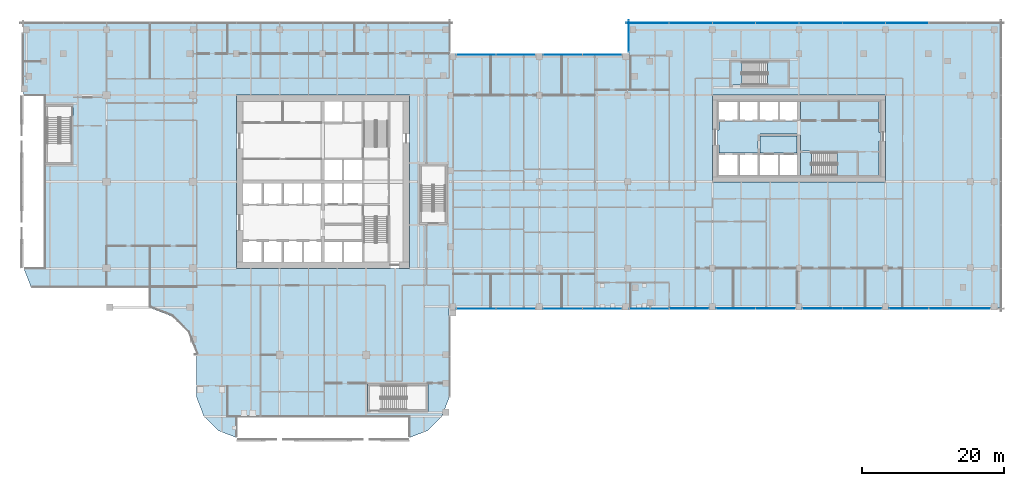
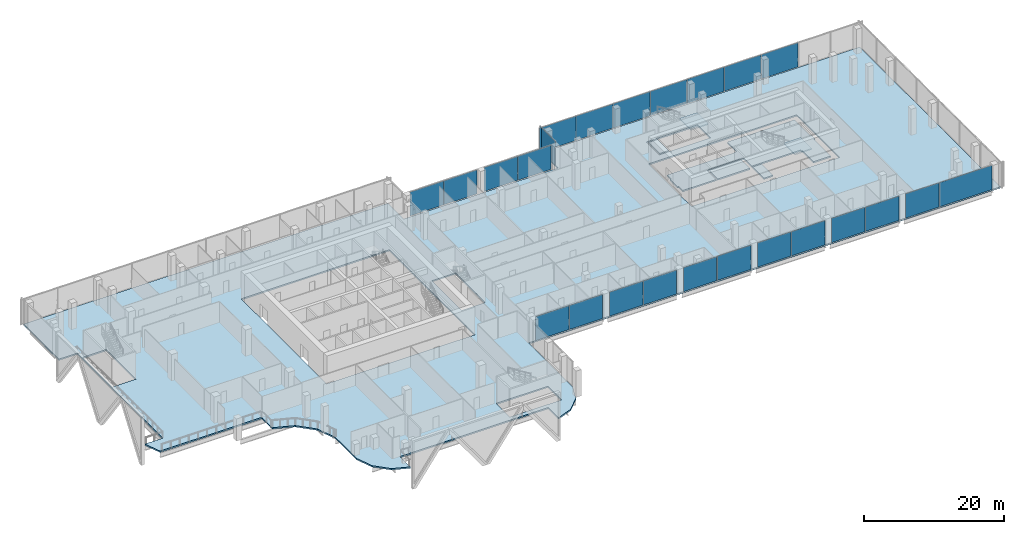
# One storey, part 19 of 33: 24 plates, 7 slabs, 14 elements without a shape of their own.
"""IFC4 building model written with IfcOpenShell, lengths in metres."""

from ifc_helpers import new_model, si_unit, direction, frame, origin, origin_2d, place, context, subcontext, project, spatial, polyline, rectangle, outline, extrude, material, layer, layer_set, type_object, element, aggregate, save


model = new_model("IFC4")

# Units and contexts
model_context = context("Model", 3, precision=1e-05, world=origin(), true_north=direction((0.0, 1.0)))
body_context = subcontext(model_context, "Body", "Model", "MODEL_VIEW")
ifc_project = project(units=[si_unit("LENGTHUNIT", "METRE"), si_unit("AREAUNIT", "SQUARE_METRE"), si_unit("VOLUMEUNIT", "CUBIC_METRE"), si_unit("PLANEANGLEUNIT", "RADIAN"), si_unit("MASSUNIT", "GRAM", prefix="KILO")], contexts=[model_context])

# Site, building, storey
site_placement = place(None, origin())
site = spatial("IfcSite", under=ifc_project, at=site_placement, CompositionType="ELEMENT")
building_placement = place(site_placement, origin())
building = spatial("IfcBuilding", under=site, at=building_placement, Name="Tessera Gate Towers", CompositionType="ELEMENT")
storey_placement = place(building_placement, frame((0.0, 0.0, 12.0)))
storey = spatial("IfcBuildingStorey", under=building, at=storey_placement, Name="L02", CompositionType="ELEMENT", Elevation=12.0)

# Slabs
ifc_material_1 = material(Name="Concrete C35/45", Category="concrete")
ifc_layer_1 = layer(ifc_material_1, 0.25)
ifc_layer_set_1 = layer_set([ifc_layer_1], Name="COMPOSITE FLOOR 250")
slab_type_1 = type_object("IfcSlabType", Name="COMPOSITE FLOOR 250", PredefinedType="FLOOR", material=ifc_layer_set_1)
slab_1_placement = place(storey_placement, frame((0.0, 0.0, -0.25)))
element("IfcSlab", 1, at=slab_1_placement, inside=storey, type_object=slab_type_1, Name="PD-L02", PredefinedType="FLOOR", context=body_context, shape_type="SweptSolid", body=[
    extrude(outline(polyline([(0.5, 48.800048828125), (3.5, 48.800048828125), (3.5, 24.39990234375), (0.535888671875, 24.39990234375), (1.526123046875, 21.8330078125), (1.55908203125, 21.800048828125), (18.300048828125, 21.800048828125), (18.300048828125, 18.800048828125), (18.39306640625, 18.800048828125), (21.42431640625, 17.630615234375), (23.730712890625, 15.32421875), (24.89990234375, 12.293212890625), (24.89990234375, 6.193115234375), (25.926025390625, 3.533203125), (27.93310546875, 1.526123046875), (30.5, 0.535888671875), (30.5, 3.5), (54.89990234375, 3.5), (54.89990234375, 0.535888671875), (57.466796875, 1.526123046875), (59.473876953125, 3.533203125), (60.5, 6.193115234375), (60.5, 18.800048828125), (138.199951171875, 18.800048828125), (138.199951171875, 58.89990234375), (85.89990234375, 58.89990234375), (85.89990234375, 54.39990234375), (60.5, 54.39990234375), (60.5, 58.89990234375), (0.5, 58.89990234375), (0.5, 48.800048828125)]), holes=[polyline([(3.60009765625, 39.0), (3.60009765625, 47.5), (7.5, 47.5), (7.5, 39.0), (3.60009765625, 39.0)]), polyline([(30.5, 24.39990234375), (30.5, 48.800048828125), (54.89990234375, 48.800048828125), (54.89990234375, 24.39990234375), (30.5, 24.39990234375)]), polyline([(49.0, 4.199951171875), (49.0, 8.10009765625), (57.5, 8.10009765625), (57.5, 4.199951171875), (49.0, 4.199951171875)]), polyline([(56.300048828125, 30.60009765625), (56.300048828125, 39.10009765625), (60.199951171875, 39.10009765625), (60.199951171875, 30.60009765625), (56.300048828125, 30.60009765625)]), polyline([(97.60009765625, 36.60009765625), (97.60009765625, 48.800048828125), (122.0, 48.800048828125), (122.0, 36.60009765625), (97.60009765625, 36.60009765625)]), polyline([(100.0, 50.0), (100.0, 53.699951171875), (108.5, 53.699951171875), (108.5, 50.0), (100.0, 50.0)])]), origin(), (0.0, 0.0, 1.0), 0.25),
])
ifc_material_2 = material(Name="Concrete C35/45", Category="concrete")
ifc_layer_2 = layer(ifc_material_2, 0.25)
ifc_layer_set_2 = layer_set([ifc_layer_2], Name="CORE FLOOR SLAB 250")
slab_type_2 = type_object("IfcSlabType", Name="CORE FLOOR SLAB 250", PredefinedType="FLOOR", material=ifc_layer_set_2)
slab_2_placement = place(storey_placement, frame((0.0, 0.0, -0.25)))
element("IfcSlab", 2, at=slab_2_placement, inside=storey, type_object=slab_type_2, Name="L02 core floor slab", PredefinedType="FLOOR", context=body_context, shape_type="SweptSolid", body=[
    extrude(outline(polyline([(109.550048828125, 45.199951171875), (109.550048828125, 45.074951171875), (98.5, 45.074951171875), (98.5, 43.89990234375), (98.300048828125, 43.89990234375), (98.300048828125, 41.800048828125), (98.5, 41.800048828125), (98.5, 40.625), (104.02490234375, 40.625), (104.02490234375, 43.199951171875), (104.27490234375, 43.199951171875), (104.27490234375, 43.324951171875), (109.550048828125, 43.324951171875), (109.550048828125, 43.199951171875), (110.050048828125, 43.199951171875), (110.050048828125, 40.949951171875), (118.10009765625, 40.949951171875), (118.10009765625, 40.699951171875), (118.22509765625, 40.699951171875), (118.22509765625, 37.5), (121.10009765625, 37.5), (121.10009765625, 42.35009765625), (121.300048828125, 42.35009765625), (121.300048828125, 43.550048828125), (121.10009765625, 43.550048828125), (121.10009765625, 47.89990234375), (110.050048828125, 47.89990234375), (110.050048828125, 45.199951171875), (109.550048828125, 45.199951171875)])), origin(), (0.0, 0.0, 1.0), 0.25),
])
slab_3_placement = place(storey_placement, frame((0.0, 0.0, -0.25)))
element("IfcSlab", 3, at=slab_3_placement, inside=storey, type_object=slab_type_2, Name="L02 core floor slab", PredefinedType="FLOOR", context=body_context, shape_type="SweptSolid", body=[
    extrude(outline(polyline([(109.550048828125, 43.074951171875), (104.27490234375, 43.074951171875), (104.27490234375, 40.625), (109.550048828125, 40.625), (109.550048828125, 43.074951171875)])), origin(), (0.0, 0.0, 1.0), 0.25),
])
slab_4_placement = place(storey_placement, frame((0.0, 0.0, -0.25)))
element("IfcSlab", 4, at=slab_4_placement, inside=storey, type_object=slab_type_2, Name="L02 core floor slab", PredefinedType="FLOOR", context=body_context, shape_type="SweptSolid", body=[
    extrude(outline(polyline([(111.550048828125, 37.5), (111.550048828125, 40.699951171875), (110.050048828125, 40.699951171875), (110.050048828125, 37.5), (111.550048828125, 37.5)])), origin(), (0.0, 0.0, 1.0), 0.25),
])
slab_5_placement = place(storey_placement, frame((0.0, 0.0, -0.25)))
element("IfcSlab", 5, at=slab_5_placement, inside=storey, type_object=slab_type_2, Name="L02 ST7 floor landing", PredefinedType="FLOOR", context=body_context, shape_type="SweptSolid", body=[
    extrude(outline(polyline([(100.25, 50.25), (101.75, 50.25), (101.75, 53.449951171875), (100.25, 53.449951171875), (100.25, 50.25)])), origin(), (0.0, 0.0, 1.0), 0.25),
])

# Stair, slab
ifc_material_3 = material(Name="Concrete C40/50", Category="concrete")
stair_type_1 = type_object("IfcStairType", Name="EXIT STAIR ST6A 1500", PredefinedType="HALF_TURN_STAIR", material=ifc_material_3)
stair_1_placement = place(storey_placement, origin())
stair_1 = element("IfcStair", 6, at=stair_1_placement, inside=storey, type_object=stair_type_1, Name="L02 Protected Exit Stair ST6", PredefinedType="HALF_TURN_STAIR")
ifc_material_4 = material(Name="Concrete C40/50", Category="concrete")
ifc_layer_3 = layer(ifc_material_4, 0.199951171875)
ifc_layer_set_3 = layer_set([ifc_layer_3], Name="EXIT STAIR LANDING 200")
slab_type_3 = type_object("IfcSlabType", Name="EXIT STAIR LANDING 200", PredefinedType="LANDING", material=ifc_layer_set_3)
slab_6_placement = place(storey_placement, frame((0.0, 0.0, 2.199951171875)))
slab_6 = element("IfcSlab", 7, at=slab_6_placement, type_object=slab_type_3, Name="ST6 landing 1", PredefinedType="LANDING", context=body_context, shape_type="SweptSolid", body=[
    extrude(outline(polyline([(115.18994140625, 37.5), (117.97509765625, 37.5), (117.97509765625, 40.699951171875), (115.18994140625, 40.699951171875), (115.18994140625, 37.5)])), origin(), (0.0, 0.0, 1.0), 0.199951171875),
])
aggregate(stair_1, [slab_6])

ifc_material_5 = material(Name="Concrete C40/50", Category="concrete")
stair_type_2 = type_object("IfcStairType", Name="EXIT STAIR ST7A 1500", PredefinedType="HALF_TURN_STAIR", material=ifc_material_5)
stair_2_placement = place(storey_placement, origin())
stair_2 = element("IfcStair", 8, at=stair_2_placement, inside=storey, type_object=stair_type_2, Name="L02 North Exit Stair ST7", PredefinedType="HALF_TURN_STAIR")
slab_7_placement = place(storey_placement, frame((0.0, 0.0, 2.199951171875)))
slab_7 = element("IfcSlab", 9, at=slab_7_placement, type_object=slab_type_3, Name="ST7 landing 1", PredefinedType="LANDING", context=body_context, shape_type="SweptSolid", body=[
    extrude(outline(polyline([(105.389892578125, 50.25), (108.25, 50.25), (108.25, 53.449951171875), (105.389892578125, 53.449951171875), (105.389892578125, 50.25)])), origin(), (0.0, 0.0, 1.0), 0.199951171875),
])
aggregate(stair_2, [slab_7])

# Curtain wall, plate
ifc_material_6 = material(Name="Aluminium frame", Category="aluminium")
curtain_wall_type_1 = type_object("IfcCurtainWallType", Name="CW-S1 podium storefront", PredefinedType="NOTDEFINED", material=ifc_material_6)
curtain_wall_1_placement = place(storey_placement, origin())
curtain_wall_1 = element("IfcCurtainWall", 10, at=curtain_wall_1_placement, inside=storey, type_object=curtain_wall_type_1, Name="Curtain wall podium storefront 0165", PredefinedType="NOTDEFINED")
ifc_material_7 = material(Name="Low-e laminated glass", Category="glass")
ifc_layer_4 = layer(ifc_material_7, 0.028076171875)
ifc_layer_set_4 = layer_set([ifc_layer_4], Name="PN-S1 glass panel 28")
plate_type_1 = type_object("IfcPlateType", Name="PN-S1 glass panel 28", PredefinedType="CURTAIN_PANEL", material=ifc_layer_set_4)
plate_1_placement = place(storey_placement, frame((94.31005859375, 18.72509765625, 0.06005859375), z_axis=(0.0, 0.0, 1.0), x_axis=(1.0, 0.0, 0.0)))
plate_1 = element("IfcPlate", 11, at=plate_1_placement, type_object=plate_type_1, Name="PD-CW1-0165 panel 1.1", PredefinedType="CURTAIN_PANEL", context=body_context, shape_type="SweptSolid", body=[
    extrude(rectangle(XDim=5.5, YDim=0.028076171875, at=origin_2d()), origin(), (0.0, 0.0, 1.0), 4.22998046875),
])
aggregate(curtain_wall_1, [plate_1])

# Curtain wall, plates
curtain_wall_2_placement = place(storey_placement, origin())
curtain_wall_2 = element("IfcCurtainWall", 12, at=curtain_wall_2_placement, inside=storey, type_object=curtain_wall_type_1, Name="Curtain wall podium storefront 0166", PredefinedType="NOTDEFINED")
plate_2_placement = place(storey_placement, frame((100.905029296875, 18.72509765625, 0.06005859375), z_axis=(0.0, 0.0, 1.0), x_axis=(1.0, 0.0, 0.0)))
plate_2 = element("IfcPlate", 13, at=plate_2_placement, type_object=plate_type_1, Name="PD-CW1-0166 panel 1.1", PredefinedType="CURTAIN_PANEL", context=body_context, shape_type="SweptSolid", body=[
    extrude(rectangle(XDim=5.530029296875, YDim=0.028076171875, at=origin_2d()), origin(), (0.0, 0.0, 1.0), 4.22998046875),
])
plate_3_placement = place(storey_placement, frame((106.4951171875, 18.72509765625, 0.06005859375), z_axis=(0.0, 0.0, 1.0), x_axis=(1.0, 0.0, 0.0)))
plate_3 = element("IfcPlate", 14, at=plate_3_placement, type_object=plate_type_1, Name="PD-CW1-0166 panel 2.1", PredefinedType="CURTAIN_PANEL", context=body_context, shape_type="SweptSolid", body=[
    extrude(rectangle(XDim=5.530029296875, YDim=0.028076171875, at=origin_2d()), origin(), (0.0, 0.0, 1.0), 4.22998046875),
])
aggregate(curtain_wall_2, [plate_2, plate_3])

curtain_wall_3_placement = place(storey_placement, origin())
curtain_wall_3 = element("IfcCurtainWall", 15, at=curtain_wall_3_placement, inside=storey, type_object=curtain_wall_type_1, Name="Curtain wall podium storefront 0167", PredefinedType="NOTDEFINED")
plate_4_placement = place(storey_placement, frame((113.10498046875, 18.72509765625, 0.06005859375), z_axis=(0.0, 0.0, 1.0), x_axis=(1.0, 0.0, 0.0)))
plate_4 = element("IfcPlate", 16, at=plate_4_placement, type_object=plate_type_1, Name="PD-CW1-0167 panel 1.1", PredefinedType="CURTAIN_PANEL", context=body_context, shape_type="SweptSolid", body=[
    extrude(rectangle(XDim=5.530029296875, YDim=0.028076171875, at=origin_2d()), origin(), (0.0, 0.0, 1.0), 4.22998046875),
])
plate_5_placement = place(storey_placement, frame((118.695068359375, 18.72509765625, 0.06005859375), z_axis=(0.0, 0.0, 1.0), x_axis=(1.0, 0.0, 0.0)))
plate_5 = element("IfcPlate", 17, at=plate_5_placement, type_object=plate_type_1, Name="PD-CW1-0167 panel 2.1", PredefinedType="CURTAIN_PANEL", context=body_context, shape_type="SweptSolid", body=[
    extrude(rectangle(XDim=5.530029296875, YDim=0.028076171875, at=origin_2d()), origin(), (0.0, 0.0, 1.0), 4.22998046875),
])
aggregate(curtain_wall_3, [plate_4, plate_5])

# Curtain wall, plate
curtain_wall_4_placement = place(storey_placement, origin())
curtain_wall_4 = element("IfcCurtainWall", 18, at=curtain_wall_4_placement, inside=storey, type_object=curtain_wall_type_1, Name="Curtain wall podium storefront 0168", PredefinedType="NOTDEFINED")
plate_6_placement = place(storey_placement, frame((125.2900390625, 18.72509765625, 0.06005859375), z_axis=(0.0, 0.0, 1.0), x_axis=(1.0, 0.0, 0.0)))
plate_6 = element("IfcPlate", 19, at=plate_6_placement, type_object=plate_type_1, Name="PD-CW1-0168 panel 1.1", PredefinedType="CURTAIN_PANEL", context=body_context, shape_type="SweptSolid", body=[
    extrude(rectangle(XDim=5.5, YDim=0.028076171875, at=origin_2d()), origin(), (0.0, 0.0, 1.0), 4.22998046875),
])
aggregate(curtain_wall_4, [plate_6])

curtain_wall_5_placement = place(storey_placement, origin())
curtain_wall_5 = element("IfcCurtainWall", 20, at=curtain_wall_5_placement, inside=storey, type_object=curtain_wall_type_1, Name="Curtain wall podium storefront 0173", PredefinedType="NOTDEFINED")
plate_7_placement = place(storey_placement, frame((132.4599609375, 18.72509765625, 0.06005859375), z_axis=(0.0, 0.0, 1.0), x_axis=(1.0, 0.0, 0.0)))
plate_7 = element("IfcPlate", 21, at=plate_7_placement, type_object=plate_type_1, Name="PD-CW1-0173 panel 1.1", PredefinedType="CURTAIN_PANEL", context=body_context, shape_type="SweptSolid", body=[
    extrude(rectangle(XDim=8.60009765625, YDim=0.028076171875, at=origin_2d()), origin(), (0.0, 0.0, 1.0), 4.22998046875),
])
aggregate(curtain_wall_5, [plate_7])

# Curtain wall, plates
curtain_wall_6_placement = place(storey_placement, origin())
curtain_wall_6 = element("IfcCurtainWall", 22, at=curtain_wall_6_placement, inside=storey, type_object=curtain_wall_type_1, Name="Curtain wall podium storefront 0193", PredefinedType="NOTDEFINED")
plate_8_placement = place(storey_placement, frame((125.034912109375, 58.97509765625, 0.06005859375), z_axis=(0.0, 0.0, 1.0), x_axis=(-1.0, 0.0, 0.0)))
plate_8 = element("IfcPlate", 23, at=plate_8_placement, type_object=plate_type_1, Name="PD-CW1-0193 panel 1.1", PredefinedType="CURTAIN_PANEL", context=body_context, shape_type="SweptSolid", body=[
    extrude(rectangle(XDim=6.010009765625, YDim=0.028076171875, at=origin_2d()), origin(), (0.0, 0.0, 1.0), 4.22998046875),
])
plate_9_placement = place(storey_placement, frame((118.949951171875, 58.97509765625, 0.06005859375), z_axis=(0.0, 0.0, 1.0), x_axis=(-1.0, 0.0, 0.0)))
plate_9 = element("IfcPlate", 24, at=plate_9_placement, type_object=plate_type_1, Name="PD-CW1-0193 panel 2.1", PredefinedType="CURTAIN_PANEL", context=body_context, shape_type="SweptSolid", body=[
    extrude(rectangle(XDim=6.0400390625, YDim=0.028076171875, at=origin_2d()), origin(), (0.0, 0.0, 1.0), 4.22998046875),
])
plate_10_placement = place(storey_placement, frame((112.85009765625, 58.97509765625, 0.06005859375), z_axis=(0.0, 0.0, 1.0), x_axis=(-1.0, 0.0, 0.0)))
plate_10 = element("IfcPlate", 25, at=plate_10_placement, type_object=plate_type_1, Name="PD-CW1-0193 panel 3.1", PredefinedType="CURTAIN_PANEL", context=body_context, shape_type="SweptSolid", body=[
    extrude(rectangle(XDim=6.0400390625, YDim=0.028076171875, at=origin_2d()), origin(), (0.0, 0.0, 1.0), 4.22998046875),
])
plate_11_placement = place(storey_placement, frame((106.75, 58.97509765625, 0.06005859375), z_axis=(0.0, 0.0, 1.0), x_axis=(-1.0, 0.0, 0.0)))
plate_11 = element("IfcPlate", 26, at=plate_11_placement, type_object=plate_type_1, Name="PD-CW1-0193 panel 4.1", PredefinedType="CURTAIN_PANEL", context=body_context, shape_type="SweptSolid", body=[
    extrude(rectangle(XDim=6.0400390625, YDim=0.028076171875, at=origin_2d()), origin(), (0.0, 0.0, 1.0), 4.22998046875),
])
plate_12_placement = place(storey_placement, frame((100.64990234375, 58.97509765625, 0.06005859375), z_axis=(0.0, 0.0, 1.0), x_axis=(-1.0, 0.0, 0.0)))
plate_12 = element("IfcPlate", 27, at=plate_12_placement, type_object=plate_type_1, Name="PD-CW1-0193 panel 5.1", PredefinedType="CURTAIN_PANEL", context=body_context, shape_type="SweptSolid", body=[
    extrude(rectangle(XDim=6.0400390625, YDim=0.028076171875, at=origin_2d()), origin(), (0.0, 0.0, 1.0), 4.22998046875),
])
plate_13_placement = place(storey_placement, frame((94.550048828125, 58.97509765625, 0.06005859375), z_axis=(0.0, 0.0, 1.0), x_axis=(-1.0, 0.0, 0.0)))
plate_13 = element("IfcPlate", 28, at=plate_13_placement, type_object=plate_type_1, Name="PD-CW1-0193 panel 6.1", PredefinedType="CURTAIN_PANEL", context=body_context, shape_type="SweptSolid", body=[
    extrude(rectangle(XDim=6.0400390625, YDim=0.028076171875, at=origin_2d()), origin(), (0.0, 0.0, 1.0), 4.22998046875),
])
plate_14_placement = place(storey_placement, frame((88.465087890625, 58.97509765625, 0.06005859375), z_axis=(0.0, 0.0, 1.0), x_axis=(-1.0, 0.0, 0.0)))
plate_14 = element("IfcPlate", 29, at=plate_14_placement, type_object=plate_type_1, Name="PD-CW1-0193 panel 7.1", PredefinedType="CURTAIN_PANEL", context=body_context, shape_type="SweptSolid", body=[
    extrude(rectangle(XDim=6.010009765625, YDim=0.028076171875, at=origin_2d()), origin(), (0.0, 0.0, 1.0), 4.22998046875),
])
aggregate(curtain_wall_6, [plate_8, plate_9, plate_10, plate_11, plate_12, plate_13, plate_14])

# Curtain wall, plate
curtain_wall_7_placement = place(storey_placement, origin())
curtain_wall_7 = element("IfcCurtainWall", 30, at=curtain_wall_7_placement, inside=storey, type_object=curtain_wall_type_1, Name="Curtain wall podium storefront 0196", PredefinedType="NOTDEFINED")
plate_15_placement = place(storey_placement, frame((85.824951171875, 57.14990234375, 0.06005859375), z_axis=(0.0, 0.0, 1.0), x_axis=(0.0, -1.0, 0.0)))
plate_15 = element("IfcPlate", 31, at=plate_15_placement, type_object=plate_type_1, Name="PD-CW1-0196 panel 1.1", PredefinedType="CURTAIN_PANEL", context=body_context, shape_type="SweptSolid", body=[
    extrude(rectangle(XDim=4.3798828125, YDim=0.028076171875, at=origin_2d()), origin(), (0.0, 0.0, 1.0), 4.22998046875),
])
aggregate(curtain_wall_7, [plate_15])

# Curtain wall, plates
ifc_material_8 = material(Name="Aluminium frame", Category="aluminium")
curtain_wall_type_2 = type_object("IfcCurtainWallType", Name="CW-S2 galleria glazing", PredefinedType="NOTDEFINED", material=ifc_material_8)
curtain_wall_8_placement = place(storey_placement, origin())
curtain_wall_8 = element("IfcCurtainWall", 32, at=curtain_wall_8_placement, inside=storey, type_object=curtain_wall_type_2, Name="Curtain wall galleria glazing 0153", PredefinedType="NOTDEFINED")
ifc_material_9 = material(Name="Low-e laminated glass", Category="glass")
ifc_layer_5 = layer(ifc_material_9, 0.031982421875)
ifc_layer_set_5 = layer_set([ifc_layer_5], Name="PN-S2 glass panel 32")
plate_type_2 = type_object("IfcPlateType", Name="PN-S2 glass panel 32", PredefinedType="CURTAIN_PANEL", material=ifc_layer_set_5)
plate_16_placement = place(storey_placement, frame((64.31494140625, 18.699951171875, 0.080078125), z_axis=(0.0, 0.0, 1.0), x_axis=(1.0, 0.0, 0.0)))
plate_16 = element("IfcPlate", 33, at=plate_16_placement, type_object=plate_type_2, Name="PD-CW2-0153 panel 1.1", PredefinedType="CURTAIN_PANEL", context=body_context, shape_type="SweptSolid", body=[
    extrude(rectangle(XDim=5.489990234375, YDim=0.031982421875, at=origin_2d()), origin(), (0.0, 0.0, 1.0), 4.18994140625),
])
plate_17_placement = place(storey_placement, frame((69.885009765625, 18.699951171875, 0.080078125), z_axis=(0.0, 0.0, 1.0), x_axis=(1.0, 0.0, 0.0)))
plate_17 = element("IfcPlate", 34, at=plate_17_placement, type_object=plate_type_2, Name="PD-CW2-0153 panel 2.1", PredefinedType="CURTAIN_PANEL", context=body_context, shape_type="SweptSolid", body=[
    extrude(rectangle(XDim=5.489990234375, YDim=0.031982421875, at=origin_2d()), origin(), (0.0, 0.0, 1.0), 4.18994140625),
])
aggregate(curtain_wall_8, [plate_16, plate_17])

curtain_wall_9_placement = place(storey_placement, origin())
curtain_wall_9 = element("IfcCurtainWall", 35, at=curtain_wall_9_placement, inside=storey, type_object=curtain_wall_type_2, Name="Curtain wall galleria glazing 0154", PredefinedType="NOTDEFINED")
plate_18_placement = place(storey_placement, frame((76.514892578125, 18.699951171875, 0.080078125), z_axis=(0.0, 0.0, 1.0), x_axis=(1.0, 0.0, 0.0)))
plate_18 = element("IfcPlate", 36, at=plate_18_placement, type_object=plate_type_2, Name="PD-CW2-0154 panel 1.1", PredefinedType="CURTAIN_PANEL", context=body_context, shape_type="SweptSolid", body=[
    extrude(rectangle(XDim=5.489990234375, YDim=0.031982421875, at=origin_2d()), origin(), (0.0, 0.0, 1.0), 4.18994140625),
])
plate_19_placement = place(storey_placement, frame((82.0849609375, 18.699951171875, 0.080078125), z_axis=(0.0, 0.0, 1.0), x_axis=(1.0, 0.0, 0.0)))
plate_19 = element("IfcPlate", 37, at=plate_19_placement, type_object=plate_type_2, Name="PD-CW2-0154 panel 2.1", PredefinedType="CURTAIN_PANEL", context=body_context, shape_type="SweptSolid", body=[
    extrude(rectangle(XDim=5.489990234375, YDim=0.031982421875, at=origin_2d()), origin(), (0.0, 0.0, 1.0), 4.18994140625),
])
aggregate(curtain_wall_9, [plate_18, plate_19])

# Curtain wall, plate
curtain_wall_10_placement = place(storey_placement, origin())
curtain_wall_10 = element("IfcCurtainWall", 38, at=curtain_wall_10_placement, inside=storey, type_object=curtain_wall_type_2, Name="Curtain wall galleria glazing 0155", PredefinedType="NOTDEFINED")
plate_20_placement = place(storey_placement, frame((88.695068359375, 18.699951171875, 0.080078125), z_axis=(0.0, 0.0, 1.0), x_axis=(1.0, 0.0, 0.0)))
plate_20 = element("IfcPlate", 39, at=plate_20_placement, type_object=plate_type_2, Name="PD-CW2-0155 panel 1.1", PredefinedType="CURTAIN_PANEL", context=body_context, shape_type="SweptSolid", body=[
    extrude(rectangle(XDim=5.449951171875, YDim=0.031982421875, at=origin_2d()), origin(), (0.0, 0.0, 1.0), 4.18994140625),
])
aggregate(curtain_wall_10, [plate_20])

# Curtain wall, plates
curtain_wall_11_placement = place(storey_placement, origin())
curtain_wall_11 = element("IfcCurtainWall", 40, at=curtain_wall_11_placement, inside=storey, type_object=curtain_wall_type_2, Name="Curtain wall galleria glazing 0199", PredefinedType="NOTDEFINED")
plate_21_placement = place(storey_placement, frame((82.0849609375, 54.5, 0.080078125), z_axis=(0.0, 0.0, 1.0), x_axis=(-1.0, 0.0, 0.0)))
plate_21 = element("IfcPlate", 41, at=plate_21_placement, type_object=plate_type_2, Name="PD-CW2-0199 panel 1.1", PredefinedType="CURTAIN_PANEL", context=body_context, shape_type="SweptSolid", body=[
    extrude(rectangle(XDim=5.489990234375, YDim=0.031982421875, at=origin_2d()), origin(), (0.0, 0.0, 1.0), 4.18994140625),
])
plate_22_placement = place(storey_placement, frame((76.514892578125, 54.5, 0.080078125), z_axis=(0.0, 0.0, 1.0), x_axis=(-1.0, 0.0, 0.0)))
plate_22 = element("IfcPlate", 42, at=plate_22_placement, type_object=plate_type_2, Name="PD-CW2-0199 panel 2.1", PredefinedType="CURTAIN_PANEL", context=body_context, shape_type="SweptSolid", body=[
    extrude(rectangle(XDim=5.489990234375, YDim=0.031982421875, at=origin_2d()), origin(), (0.0, 0.0, 1.0), 4.18994140625),
])
aggregate(curtain_wall_11, [plate_21, plate_22])

curtain_wall_12_placement = place(storey_placement, origin())
curtain_wall_12 = element("IfcCurtainWall", 43, at=curtain_wall_12_placement, inside=storey, type_object=curtain_wall_type_2, Name="Curtain wall galleria glazing 0200", PredefinedType="NOTDEFINED")
plate_23_placement = place(storey_placement, frame((69.885009765625, 54.5, 0.080078125), z_axis=(0.0, 0.0, 1.0), x_axis=(-1.0, 0.0, 0.0)))
plate_23 = element("IfcPlate", 44, at=plate_23_placement, type_object=plate_type_2, Name="PD-CW2-0200 panel 1.1", PredefinedType="CURTAIN_PANEL", context=body_context, shape_type="SweptSolid", body=[
    extrude(rectangle(XDim=5.489990234375, YDim=0.031982421875, at=origin_2d()), origin(), (0.0, 0.0, 1.0), 4.18994140625),
])
plate_24_placement = place(storey_placement, frame((64.31494140625, 54.5, 0.080078125), z_axis=(0.0, 0.0, 1.0), x_axis=(-1.0, 0.0, 0.0)))
plate_24 = element("IfcPlate", 45, at=plate_24_placement, type_object=plate_type_2, Name="PD-CW2-0200 panel 2.1", PredefinedType="CURTAIN_PANEL", context=body_context, shape_type="SweptSolid", body=[
    extrude(rectangle(XDim=5.489990234375, YDim=0.031982421875, at=origin_2d()), origin(), (0.0, 0.0, 1.0), 4.18994140625),
])
aggregate(curtain_wall_12, [plate_23, plate_24])

save(model, "model.ifc")
